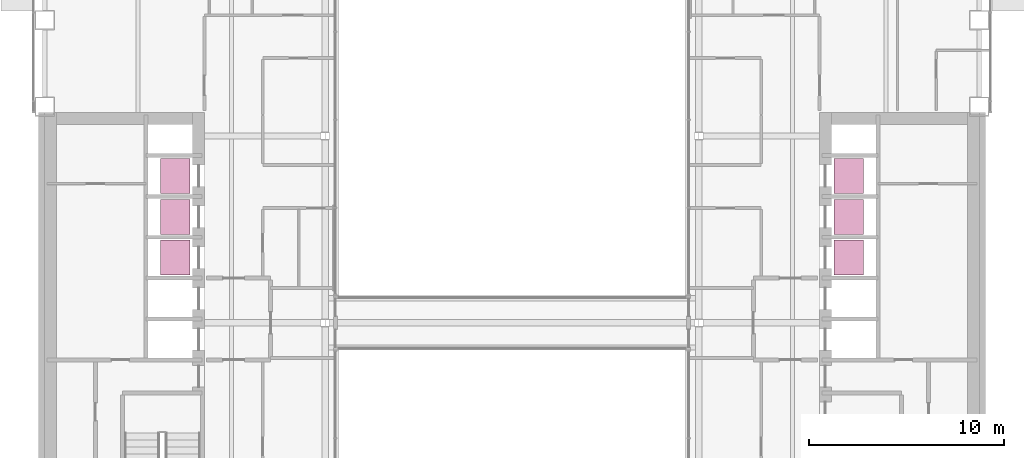
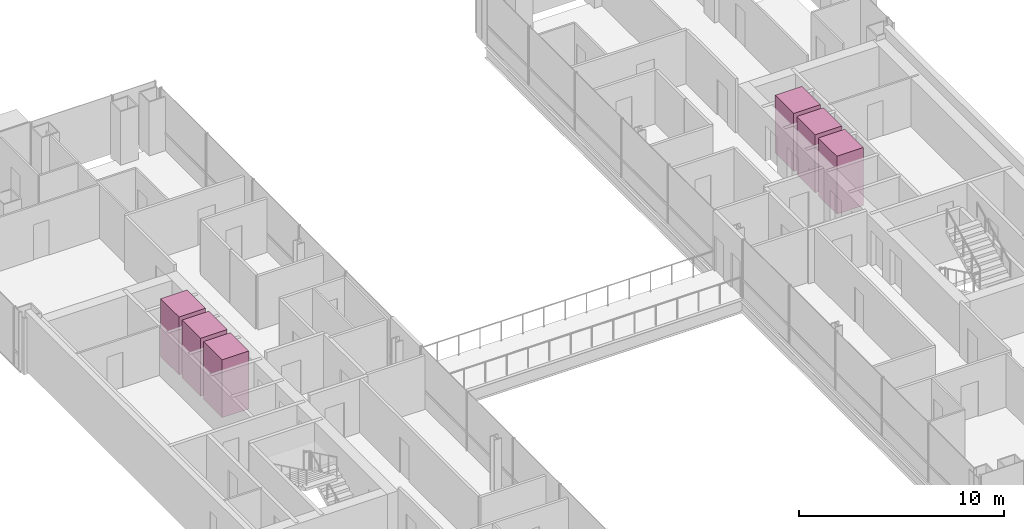
# One storey, part 21 of 21: 6 transport elements.
"""IFC4 building model written with IfcOpenShell, lengths in metres."""

from ifc_helpers import new_model, si_unit, direction, frame, origin, origin_2d, place, context, subcontext, project, spatial, rectangle, extrude, material, type_object, element, save


model = new_model("IFC4")

# Units and contexts
model_context = context("Model", 3, precision=1e-05, world=origin(), true_north=direction((0.0, 1.0)))
body_context = subcontext(model_context, "Body", "Model", "MODEL_VIEW")
ifc_project = project(units=[si_unit("LENGTHUNIT", "METRE"), si_unit("AREAUNIT", "SQUARE_METRE"), si_unit("VOLUMEUNIT", "CUBIC_METRE"), si_unit("PLANEANGLEUNIT", "RADIAN"), si_unit("MASSUNIT", "GRAM", prefix="KILO")], contexts=[model_context])

# Site, building, storey
site_placement = place(None, origin())
site = spatial("IfcSite", under=ifc_project, at=site_placement, CompositionType="ELEMENT")
building_placement = place(site_placement, origin())
building = spatial("IfcBuilding", under=site, at=building_placement, Name="Cobrizo Arcos Hotel Tower", CompositionType="ELEMENT")
storey_placement = place(building_placement, frame((0.0, 0.0, 81.0)))
storey = spatial("IfcBuildingStorey", under=building, at=storey_placement, Name="L19", CompositionType="ELEMENT", Elevation=81.0)

# Transport elements
ifc_material = material(Name="Stainless steel car", Category="steel")
transport_element_type = type_object("IfcTransportElementType", Name="Lift car Low 1.8x1.5", PredefinedType="ELEVATOR", material=ifc_material)
for number, where, z_axis, x_axis, name in (
    (1, (-17.300048828125, 3.35009765625, 0.0), (0.0, 0.0, 1.0), (1.0, 0.0, 0.0), "Low-rise passenger lift W1"),
    (2, (-17.300048828125, 5.449951171875, 0.0), (0.0, 0.0, 1.0), (1.0, 0.0, 0.0), "Low-rise passenger lift W2"),
    (3, (-17.300048828125, 7.550048828125, 0.0), (0.0, 0.0, 1.0), (1.0, 0.0, 0.0), "Low-rise passenger lift W3"),
    (4, (17.300048828125, 3.35009765625, 0.0), (0.0, 0.0, 1.0), (1.0, 0.0, 0.0), "Low-rise passenger lift E1"),
    (5, (17.300048828125, 5.449951171875, 0.0), (0.0, 0.0, 1.0), (1.0, 0.0, 0.0), "Low-rise passenger lift E2"),
    (6, (17.300048828125, 7.550048828125, 0.0), (0.0, 0.0, 1.0), (1.0, 0.0, 0.0), "Low-rise passenger lift E3"),
):
    element("IfcTransportElement", number, at=place(storey_placement, frame(where, z_axis=z_axis, x_axis=x_axis)), inside=storey, type_object=transport_element_type, Name=name, PredefinedType="ELEVATOR", context=body_context, shape_type="SweptSolid", body=[
        extrude(rectangle(XDim=1.5, YDim=1.800048828125, at=origin_2d()), origin(), (0.0, 0.0, 1.0), 3.449951171875),
    ])

save(model, "model.ifc")
